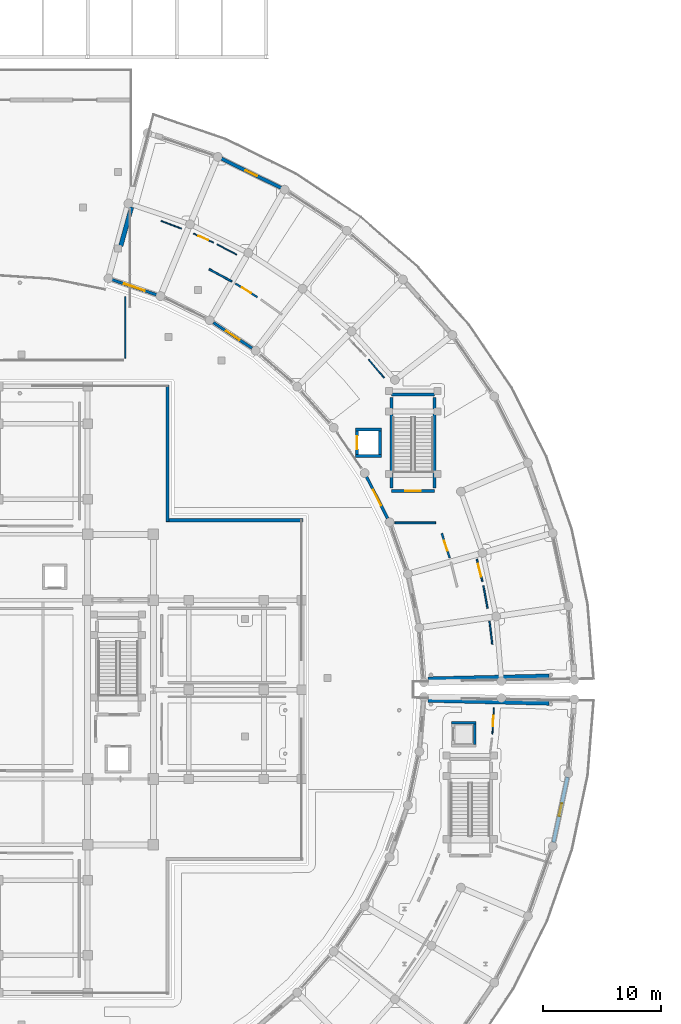
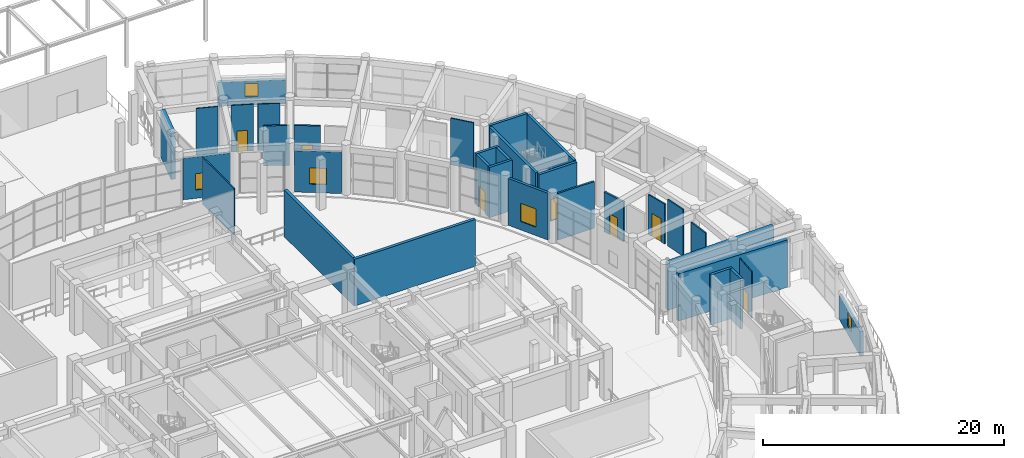
# One storey, part 73 of 99: 33 walls, 7 doors, 5 windows, 12 openings.
"""IFC4 building model written with IfcOpenShell, lengths in metres."""

from ifc_helpers import new_model, si_unit, direction, frame, frame_2d, origin, place, context, subcontext, project, spatial, rectangle, extrude, material, layer, layer_set, type_object, element, fill, save


model = new_model("IFC4")

# Units and contexts
model_context = context("Model", 3, precision=1e-05, world=origin(), true_north=direction((0.0, 1.0)))
body_context = subcontext(model_context, "Body", "Model", "MODEL_VIEW")
ifc_project = project(units=[si_unit("LENGTHUNIT", "METRE"), si_unit("AREAUNIT", "SQUARE_METRE"), si_unit("VOLUMEUNIT", "CUBIC_METRE"), si_unit("PLANEANGLEUNIT", "RADIAN"), si_unit("MASSUNIT", "GRAM", prefix="KILO")], contexts=[model_context])

# Site, building, storey
site_placement = place(None, origin())
site = spatial("IfcSite", under=ifc_project, at=site_placement, CompositionType="ELEMENT")
building_placement = place(site_placement, origin())
building = spatial("IfcBuilding", under=site, at=building_placement, Name="Saryqyr Civic Hall", CompositionType="ELEMENT")
storey_placement = place(building_placement, origin())
storey = spatial("IfcBuildingStorey", under=building, at=storey_placement, Name="L00", CompositionType="ELEMENT", Elevation=0.0)

# Wall, opening, window
ifc_material_1 = material(Name="Precast concrete C40/50", Category="concrete")
ifc_layer_1 = layer(ifc_material_1, 0.239990234375, Name="Precast concrete C40/50")
ifc_layer_set_1 = layer_set([ifc_layer_1], Name="Precast concrete C40/50")
wall_type_1 = type_object("IfcWallType", Name="ENV-WAL-EXT-240", PredefinedType="STANDARD", material=ifc_layer_set_1)
wall_1_placement = place(storey_placement, frame((90.124267578125, 98.55029296875, 0.0), z_axis=(0.0, 0.0, 1.0), x_axis=(-0.451869127893, 0.89208424, 0.0)))
wall_1 = element("IfcWall", 1, at=wall_1_placement, inside=storey, type_object=wall_type_1, Name="Exterior wall V6-EWI-L00-03", PredefinedType="STANDARD", context=body_context, shape_type="SweptSolid", body=[
    extrude(rectangle(XDim=3.980224609375, YDim=0.239990234375, at=frame_2d((1.990234375, 0.0))), origin(), (0.0, 0.0, 1.0), 4.75),
])
opening_1_placement = place(wall_1_placement, frame((1.239990234375, 0.0, 0.85009765625)))
opening_1 = element("IfcOpeningElement", 2, at=opening_1_placement, cuts=wall_1, Name="Opening W-26", PredefinedType="OPENING", context=body_context, shape_type="SweptSolid", body=[
    extrude(rectangle(XDim=1.5, YDim=1.85009765625, at=frame_2d((0.75, 0.925048828125))), frame((0.0, 0.1298828125, 0.0), z_axis=(0.0, -1.0, 0.0), x_axis=(1.0, 0.0, 0.0)), (0.0, 0.0, 1.0), 0.260009765625),
])
ifc_material_2 = material(Name="Anodised aluminium and triple low-E glass", Category="aluminium")
window_type_1 = type_object("IfcWindowType", Name="ENV-WIN-W26", PartitioningType="SINGLE_PANEL", PredefinedType="WINDOW", material=ifc_material_2)
window_1_placement = place(opening_1_placement, origin())
window_1 = element("IfcWindow", 3, at=window_1_placement, inside=storey, type_object=window_type_1, Name="Courtyard window V6-L00-03", OverallHeight=1.85009765625, OverallWidth=1.5, PartitioningType="SINGLE_PANEL", PredefinedType="WINDOW", context=body_context, shape_type="SweptSolid", body=[
    extrude(rectangle(XDim=1.5, YDim=1.85009765625, at=frame_2d((0.75, 0.925048828125))), frame((0.0, 0.030029296875, 0.0), z_axis=(0.0, -1.0, 0.0), x_axis=(1.0, 0.0, 0.0)), (0.0, 0.0, 1.0), 0.06005859375),
])
fill(opening_1, window_1)

wall_2_placement = place(storey_placement, frame((78.583984375, 113.033935546875, 0.0), z_axis=(0.0, 0.0, 1.0), x_axis=(-0.833775412136, 0.552103760282, 0.0)))
wall_2 = element("IfcWall", 4, at=wall_2_placement, inside=storey, type_object=wall_type_1, Name="Exterior wall V6-EWI-L00-07", PredefinedType="STANDARD", context=body_context, shape_type="SweptSolid", body=[
    extrude(rectangle(XDim=3.931640625, YDim=0.239990234375, at=frame_2d((1.9658203125, 0.0))), origin(), (0.0, 0.0, 1.0), 4.195068359375),
])
opening_2_placement = place(wall_2_placement, frame((1.26611328125, 0.0, 0.85009765625)))
opening_2 = element("IfcOpeningElement", 5, at=opening_2_placement, cuts=wall_2, Name="Opening W-18", PredefinedType="OPENING", context=body_context, shape_type="SweptSolid", body=[
    extrude(rectangle(XDim=1.39990234375, YDim=1.64990234375, at=frame_2d((0.699951171875, 0.824951171875))), frame((0.0, 0.1298828125, 0.0), z_axis=(0.0, -1.0, 0.0), x_axis=(1.0, 0.0, 0.0)), (0.0, 0.0, 1.0), 0.260009765625),
])
window_type_2 = type_object("IfcWindowType", Name="ENV-WIN-W18", PartitioningType="SINGLE_PANEL", PredefinedType="WINDOW", material=ifc_material_2)
window_2_placement = place(opening_2_placement, origin())
window_2 = element("IfcWindow", 6, at=window_2_placement, inside=storey, type_object=window_type_2, Name="Courtyard window V6-L00-07", OverallHeight=1.64990234375, OverallWidth=1.39990234375, PartitioningType="SINGLE_PANEL", PredefinedType="WINDOW", context=body_context, shape_type="SweptSolid", body=[
    extrude(rectangle(XDim=1.39990234375, YDim=1.64990234375, at=frame_2d((0.699951171875, 0.824951171875))), frame((0.0, 0.030029296875, 0.0), z_axis=(0.0, -1.0, 0.0), x_axis=(1.0, 0.0, 0.0)), (0.0, 0.0, 1.0), 0.06005859375),
])
fill(opening_2, window_2)

wall_3_placement = place(storey_placement, frame((70.48779296875, 117.572265625, 0.0), z_axis=(0.0, 0.0, 1.0), x_axis=(-0.947197529603, 0.320650650887, 0.0)))
wall_3 = element("IfcWall", 7, at=wall_3_placement, inside=storey, type_object=wall_type_1, Name="Exterior wall V6-EWI-L00-09", PredefinedType="STANDARD", context=body_context, shape_type="SweptSolid", body=[
    extrude(rectangle(XDim=4.02099609375, YDim=0.239990234375, at=frame_2d((2.010498046875, 0.0))), origin(), (0.0, 0.0, 1.0), 4.195068359375),
])
opening_3_placement = place(wall_3_placement, frame((1.0849609375, 0.0, 0.85009765625)))
opening_3 = element("IfcOpeningElement", 8, at=opening_3_placement, cuts=wall_3, Name="Opening W-20", PredefinedType="OPENING", context=body_context, shape_type="SweptSolid", body=[
    extrude(rectangle(XDim=1.85009765625, YDim=1.64990234375, at=frame_2d((0.925048828125, 0.824951171875))), frame((0.0, 0.1298828125, 0.0), z_axis=(0.0, -1.0, 0.0), x_axis=(1.0, 0.0, 0.0)), (0.0, 0.0, 1.0), 0.260009765625),
])
window_type_3 = type_object("IfcWindowType", Name="ENV-WIN-W20", PartitioningType="SINGLE_PANEL", PredefinedType="WINDOW", material=ifc_material_2)
window_3_placement = place(opening_3_placement, origin())
window_3 = element("IfcWindow", 9, at=window_3_placement, inside=storey, type_object=window_type_3, Name="Courtyard window V6-L00-09", OverallHeight=1.64990234375, OverallWidth=1.85009765625, PartitioningType="SINGLE_PANEL", PredefinedType="WINDOW", context=body_context, shape_type="SweptSolid", body=[
    extrude(rectangle(XDim=1.85009765625, YDim=1.64990234375, at=frame_2d((0.925048828125, 0.824951171875))), frame((0.0, 0.030029296875, 0.0), z_axis=(0.0, -1.0, 0.0), x_axis=(1.0, 0.0, 0.0)), (0.0, 0.0, 1.0), 0.06005859375),
])
fill(opening_3, window_3)

# Walls
ifc_layer_2 = layer(ifc_material_1, 0.27001953125, Name="Precast concrete C40/50")
ifc_layer_set_2 = layer_set([ifc_layer_2], Name="Precast concrete C40/50")
wall_type_2 = type_object("IfcWallType", Name="ENV-WAL-EXT-270", PredefinedType="STANDARD", material=ifc_layer_set_2)
for number, where, z_axis, x_axis, name in (
    (10, (71.39990234375, 109.919921875, 0.0), (0.0, 0.0, 1.0), (0.0, -1.0, 0.0), "Exterior wall V1-EW-L00-06"),
    (11, (71.280029296875, 98.39990234375, 0.0), (0.0, 0.0, 1.0), (1.0, 0.0, 0.0), "Exterior wall V1-EW-L00-07"),
):
    element("IfcWall", number, at=place(storey_placement, frame(where, z_axis=z_axis, x_axis=x_axis)), inside=storey, type_object=wall_type_2, Name=name, PredefinedType="STANDARD", context=body_context, shape_type="SweptSolid", body=[
        extrude(rectangle(XDim=11.639892578125, YDim=0.27001953125, at=frame_2d((5.81982421875, 0.0))), origin(), (0.0, 0.0, 1.0), 4.75),
    ])

# Wall, opening, window
ifc_layer_3 = layer(ifc_material_1, 0.2900390625, Name="Precast concrete C40/50")
ifc_layer_set_3 = layer_set([ifc_layer_3], Name="Precast concrete C40/50")
wall_type_3 = type_object("IfcWallType", Name="ENV-WAL-EXT-290", PredefinedType="STANDARD", material=ifc_layer_set_3)
wall_4_placement = place(storey_placement, frame((75.986328125, 129.149169921875, 0.0), z_axis=(0.0, 0.0, 1.0), x_axis=(0.897975415093, -0.440045627052, 0.0)))
wall_4 = element("IfcWall", 12, at=wall_4_placement, inside=storey, type_object=wall_type_3, Name="Exterior wall V6-EWO-L00-08", PredefinedType="STANDARD", context=body_context, shape_type="SweptSolid", body=[
    extrude(rectangle(XDim=5.637939453125, YDim=0.2900390625, at=frame_2d((2.81884765625, 0.0))), origin(), (0.0, 0.0, 1.0), 2.449951171875),
])
opening_4_placement = place(wall_4_placement, frame((2.26904296875, 0.0, 0.85009765625)))
opening_4 = element("IfcOpeningElement", 13, at=opening_4_placement, cuts=wall_4, Name="Opening W-01", PredefinedType="OPENING", context=body_context, shape_type="SweptSolid", body=[
    extrude(rectangle(XDim=1.10009765625, YDim=1.35009765625, at=frame_2d((0.550048828125, 0.675048828125))), frame((0.0, 0.155029296875, 0.0), z_axis=(0.0, -1.0, 0.0), x_axis=(1.0, 0.0, 0.0)), (0.0, 0.0, 1.0), 0.31005859375),
])
window_type_4 = type_object("IfcWindowType", Name="ENV-WIN-W01", PartitioningType="SINGLE_PANEL", PredefinedType="WINDOW", material=ifc_material_2)
window_4_placement = place(opening_4_placement, origin())
window_4 = element("IfcWindow", 14, at=window_4_placement, inside=storey, type_object=window_type_4, Name="Exterior ribbon window V6-L00-08", OverallHeight=1.35009765625, OverallWidth=1.10009765625, PartitioningType="SINGLE_PANEL", PredefinedType="WINDOW", context=body_context, shape_type="SweptSolid", body=[
    extrude(rectangle(XDim=1.10009765625, YDim=1.35009765625, at=frame_2d((0.550048828125, 0.675048828125))), frame((0.0, 0.030029296875, 0.0), z_axis=(0.0, -1.0, 0.0), x_axis=(1.0, 0.0, 0.0)), (0.0, 0.0, 1.0), 0.06005859375),
])
fill(opening_4, window_4)

ifc_layer_4 = layer(ifc_material_1, 0.31005859375, Name="Precast concrete C40/50")
ifc_layer_set_4 = layer_set([ifc_layer_4], Name="Precast concrete C40/50")
wall_type_4 = type_object("IfcWallType", Name="ENV-WAL-EXT-310", PredefinedType="STANDARD", material=ifc_layer_set_4)
wall_5_placement = place(storey_placement, frame((105.413818359375, 76.570068359375, 0.0), z_axis=(0.0, 0.0, 1.0), x_axis=(-0.208920042606, -0.977932725599, 0.0)))
wall_5 = element("IfcWall", 15, at=wall_5_placement, inside=storey, type_object=wall_type_4, Name="Exterior wall V5-EWO-L00-08", PredefinedType="STANDARD", context=body_context, shape_type="SweptSolid", body=[
    extrude(rectangle(XDim=5.694580078125, YDim=0.31005859375, at=frame_2d((2.84716796875, 0.0))), origin(), (0.0, 0.0, 1.0), 2.449951171875),
])
opening_5_placement = place(wall_5_placement, frame((2.297119140625, 0.0, 0.85009765625)))
opening_5 = element("IfcOpeningElement", 16, at=opening_5_placement, cuts=wall_5, Name="Opening W-01", PredefinedType="OPENING", context=body_context, shape_type="SweptSolid", body=[
    extrude(rectangle(XDim=1.10009765625, YDim=1.35009765625, at=frame_2d((0.550048828125, 0.675048828125))), frame((0.0, 0.1650390625, 0.0), z_axis=(0.0, -1.0, 0.0), x_axis=(1.0, 0.0, 0.0)), (0.0, 0.0, 1.0), 0.330078125),
])
window_5_placement = place(opening_5_placement, origin())
window_5 = element("IfcWindow", 17, at=window_5_placement, inside=storey, type_object=window_type_4, Name="Exterior ribbon window V5-L00-08", OverallHeight=1.35009765625, OverallWidth=1.10009765625, PartitioningType="SINGLE_PANEL", PredefinedType="WINDOW", context=body_context, shape_type="SweptSolid", body=[
    extrude(rectangle(XDim=1.10009765625, YDim=1.35009765625, at=frame_2d((0.550048828125, 0.675048828125))), frame((0.0, 0.030029296875, 0.0), z_axis=(0.0, -1.0, 0.0), x_axis=(1.0, 0.0, 0.0)), (0.0, 0.0, 1.0), 0.06005859375),
])
fill(opening_5, window_5)

# Walls
ifc_material_3 = material(Name="Concrete C40/50", Category="concrete")
ifc_layer_5 = layer(ifc_material_3, 0.3798828125, Name="Concrete C40/50")
ifc_layer_set_5 = layer_set([ifc_layer_5], Name="Concrete C40/50")
wall_type_5 = type_object("IfcWallType", Name="ENV-WAL-PTY-380", PredefinedType="SHEAR", material=ifc_layer_set_5)
for number, where, z_axis, x_axis, name in (
    (18, (93.5390625, 83.10693359375, 0.0), (0.0, 0.0, 1.0), (0.999701591947, -0.024427997417, 0.0), "Exterior wall V5-JNTW-B-L00"),
    (19, (103.85009765625, 85.14501953125, 0.0), (0.0, 0.0, 1.0), (-0.999701591947, -0.024427997417, 0.0), "Exterior wall V6-JNTW-A-L00"),
):
    element("IfcWall", number, at=place(storey_placement, frame(where, z_axis=z_axis, x_axis=x_axis)), inside=storey, type_object=wall_type_5, Name=name, PredefinedType="SHEAR", context=body_context, shape_type="SweptSolid", body=[
        extrude(rectangle(XDim=10.314208984375, YDim=0.3798828125, at=frame_2d((5.1572265625, 0.0))), origin(), (0.0, 0.0, 1.0), 4.800048828125),
    ])
wall_6_placement = place(storey_placement, frame((67.429443359375, 121.735107421875, 0.0), z_axis=(0.0, 0.0, 1.0), x_axis=(0.266413918486, 0.963858715807, 0.0)))
element("IfcWall", 20, at=wall_6_placement, inside=storey, type_object=wall_type_5, Name="Exterior wall V6-JNTW-B-L00", PredefinedType="SHEAR", context=body_context, shape_type="SweptSolid", body=[
    extrude(rectangle(XDim=3.419921875, YDim=0.3798828125, at=frame_2d((1.7099609375, 0.0))), origin(), (0.0, 0.0, 1.0), 4.800048828125),
])

# Wall, opening, door
ifc_material_4 = material(Name="Lightweight demountable partition", Category="gypsum")
ifc_layer_6 = layer(ifc_material_4, 0.094970703125, Name="Lightweight demountable partition")
ifc_layer_set_6 = layer_set([ifc_layer_6], Name="Lightweight demountable partition")
wall_type_6 = type_object("IfcWallType", Name="INT-WAL-PRT-095", PredefinedType="PARTITIONING", material=ifc_layer_set_6)
wall_7_placement = place(storey_placement, frame((99.02490234375, 80.223876953125, 0.0), z_axis=(0.0, 0.0, 1.0), x_axis=(0.058613248542, 0.998280765664, 0.0)))
wall_7 = element("IfcWall", 21, at=wall_7_placement, inside=storey, type_object=wall_type_6, Name="Interior partition PRT-SP-V5-L00-R03-W2", PredefinedType="PARTITIONING", context=body_context, shape_type="SweptSolid", body=[
    extrude(rectangle(XDim=2.23681640625, YDim=0.094970703125, at=frame_2d((1.118408203125, 0.0))), origin(), (0.0, 0.0, 1.0), 4.72998046875),
])
opening_6_placement = place(wall_7_placement, frame((0.66796875, 0.0, 0.0)))
opening_6 = element("IfcOpeningElement", 22, at=opening_6_placement, cuts=wall_7, Name="Opening D-01", PredefinedType="OPENING", context=body_context, shape_type="SweptSolid", body=[
    extrude(rectangle(XDim=0.89990234375, YDim=2.10009765625, at=frame_2d((0.449951171875, 1.050048828125))), frame((0.0, 0.057373046875, 0.0), z_axis=(0.0, -1.0, 0.0), x_axis=(1.0, 0.0, 0.0)), (0.0, 0.0, 1.0), 0.114990234375),
])
ifc_material_5 = material(Name="Acoustic solid-core oak veneer", Category="wood")
door_type_1 = type_object("IfcDoorType", Name="INT-DR-D-01", OperationType="NOTDEFINED", PredefinedType="DOOR", material=ifc_material_5)
door_1_placement = place(opening_6_placement, origin())
door_1 = element("IfcDoor", 23, at=door_1_placement, inside=storey, type_object=door_type_1, Name="Interior door Public Toilet Block & Accessible MGN WC L00-E", OperationType="SINGLE_SWING_RIGHT", OverallHeight=2.10009765625, OverallWidth=0.89990234375, PredefinedType="DOOR", context=body_context, shape_type="SweptSolid", body=[
    extrude(rectangle(XDim=0.89990234375, YDim=2.10009765625, at=frame_2d((0.449951171875, 1.050048828125))), frame((0.0, 0.02490234375, 0.0), z_axis=(0.0, -1.0, 0.0), x_axis=(1.0, 0.0, 0.0)), (0.0, 0.0, 1.0), 0.050048828125),
])
fill(opening_6, door_1)

wall_8_placement = place(storey_placement, frame((75.300537109375, 122.019775390625, 0.0), z_axis=(0.0, 0.0, 1.0), x_axis=(-0.912201421818, 0.40974207257, 0.0)))
wall_8 = element("IfcWall", 24, at=wall_8_placement, inside=storey, type_object=wall_type_6, Name="Interior partition PRT-SP-V6-L00-R03-W1", PredefinedType="PARTITIONING", context=body_context, shape_type="SweptSolid", body=[
    extrude(rectangle(XDim=1.859130859375, YDim=0.094970703125, at=frame_2d((0.9296875, 0.0))), origin(), (0.0, 0.0, 1.0), 4.72998046875),
])
opening_7_placement = place(wall_8_placement, frame((0.47998046875, 0.0, 0.0)))
opening_7 = element("IfcOpeningElement", 25, at=opening_7_placement, cuts=wall_8, Name="Opening D-01", PredefinedType="OPENING", context=body_context, shape_type="SweptSolid", body=[
    extrude(rectangle(XDim=0.89990234375, YDim=2.10009765625, at=frame_2d((0.449951171875, 1.050048828125))), frame((0.0, 0.057373046875, 0.0), z_axis=(0.0, -1.0, 0.0), x_axis=(1.0, 0.0, 0.0)), (0.0, 0.0, 1.0), 0.114990234375),
])
door_2_placement = place(opening_7_placement, origin())
door_2 = element("IfcDoor", 26, at=door_2_placement, inside=storey, type_object=door_type_1, Name="Interior door Public Toilet Block & Accessible MGN WC L00-N", OperationType="SINGLE_SWING_LEFT", OverallHeight=2.10009765625, OverallWidth=0.89990234375, PredefinedType="DOOR", context=body_context, shape_type="SweptSolid", body=[
    extrude(rectangle(XDim=0.89990234375, YDim=2.10009765625, at=frame_2d((0.449951171875, 1.050048828125))), frame((0.0, 0.02490234375, 0.0), z_axis=(0.0, -1.0, 0.0), x_axis=(1.0, 0.0, 0.0)), (0.0, 0.0, 1.0), 0.050048828125),
])
fill(opening_7, door_2)

# Walls
for number, where, z_axis, x_axis, name in (
    (27, (77.270263671875, 120.997802734375, 0.0), (0.0, 0.0, 1.0), (-0.88531952644, 0.464983156797, 0.0), "Interior partition PRT-SP-V6-L00-R03-W2"),
    (28, (72.58837890625, 123.201171875, 0.0), (0.0, 0.0, 1.0), (-0.935631179075, 0.352979173243, 0.0), "Interior partition PRT-SP-V6-L00-R03-W3"),
):
    element("IfcWall", number, at=place(storey_placement, frame(where, z_axis=z_axis, x_axis=x_axis)), inside=storey, type_object=wall_type_6, Name=name, PredefinedType="PARTITIONING", context=body_context, shape_type="SweptSolid", body=[
        extrude(rectangle(XDim=1.859130859375, YDim=0.094970703125, at=frame_2d((0.9296875, 0.0))), origin(), (0.0, 0.0, 1.0), 4.72998046875),
    ])
ifc_material_6 = material(Name="Moisture-resistant gypsum partition", Category="gypsum")
ifc_layer_7 = layer(ifc_material_6, 0.110107421875, Name="Moisture-resistant gypsum partition")
ifc_layer_set_7 = layer_set([ifc_layer_7], Name="Moisture-resistant gypsum partition")
wall_type_7 = type_object("IfcWallType", Name="INT-WAL-PRT-110", PredefinedType="PARTITIONING", material=ifc_layer_set_7)
wall_9_placement = place(storey_placement, frame((89.81640625, 110.508544921875, 0.0), z_axis=(0.0, 0.0, 1.0), x_axis=(-0.643701685494, 0.765276512179, 0.0)))
element("IfcWall", 29, at=wall_9_placement, inside=storey, type_object=wall_type_7, Name="Interior partition PRT-SP-V6-L00-R02-W2", PredefinedType="PARTITIONING", context=body_context, shape_type="SweptSolid", body=[
    extrude(rectangle(XDim=2.044189453125, YDim=0.110107421875, at=frame_2d((1.02197265625, 0.0))), origin(), (0.0, 0.0, 1.0), 4.72998046875),
])
wall_10_placement = place(storey_placement, frame((67.800048828125, 117.415283203125, 0.0), z_axis=(0.0, 0.0, 1.0), x_axis=(0.0, -1.0, 0.0)))
element("IfcWall", 30, at=wall_10_placement, inside=storey, type_object=wall_type_7, Name="Interior partition PRT-SP-V2-L00-NVEST-W2", PredefinedType="PARTITIONING", context=body_context, shape_type="SweptSolid", body=[
    extrude(rectangle(XDim=5.2353515625, YDim=0.110107421875, at=frame_2d((2.61767578125, 0.0))), origin(), (0.0, 0.0, 1.0), 4.72998046875),
])

# Wall, opening, door
ifc_material_7 = material(Name="Metal-stud gypsum board partition", Category="gypsum")
ifc_layer_8 = layer(ifc_material_7, 0.125, Name="Metal-stud gypsum board partition")
ifc_layer_set_8 = layer_set([ifc_layer_8], Name="Metal-stud gypsum board partition")
wall_type_8 = type_object("IfcWallType", Name="INT-WAL-PRT-125", PredefinedType="PARTITIONING", material=ifc_layer_set_8)
wall_11_placement = place(storey_placement, frame((98.181396484375, 93.19140625, 0.0), z_axis=(0.0, 0.0, 1.0), x_axis=(-0.244871130076, 0.969555635152, 0.0)))
wall_11 = element("IfcWall", 31, at=wall_11_placement, inside=storey, type_object=wall_type_8, Name="Interior partition PRT-SP-V6-L00-R01-W1", PredefinedType="PARTITIONING", context=body_context, shape_type="SweptSolid", body=[
    extrude(rectangle(XDim=1.967041015625, YDim=0.125, at=frame_2d((0.9833984375, 0.0))), origin(), (0.0, 0.0, 1.0), 4.044921875),
])
opening_8_placement = place(wall_11_placement, frame((0.43408203125, 0.0, 0.0)))
opening_8 = element("IfcOpeningElement", 32, at=opening_8_placement, cuts=wall_11, Name="Opening D-17", PredefinedType="OPENING", context=body_context, shape_type="SweptSolid", body=[
    extrude(rectangle(XDim=1.10009765625, YDim=2.35009765625, at=frame_2d((0.550048828125, 1.175048828125))), frame((0.0, 0.072509765625, 0.0), z_axis=(0.0, -1.0, 0.0), x_axis=(1.0, 0.0, 0.0)), (0.0, 0.0, 1.0), 0.14501953125),
])
door_type_2 = type_object("IfcDoorType", Name="INT-DR-D-17", OperationType="NOTDEFINED", PredefinedType="DOOR", material=ifc_material_5)
door_3_placement = place(opening_8_placement, origin())
door_3 = element("IfcDoor", 33, at=door_3_placement, inside=storey, type_object=door_type_2, Name="Interior door North Civic Square Citizens' Reception Hall", OperationType="SINGLE_SWING_LEFT", OverallHeight=2.35009765625, OverallWidth=1.10009765625, PredefinedType="DOOR", context=body_context, shape_type="SweptSolid", body=[
    extrude(rectangle(XDim=1.10009765625, YDim=2.35009765625, at=frame_2d((0.550048828125, 1.175048828125))), frame((0.0, 0.02490234375, 0.0), z_axis=(0.0, -1.0, 0.0), x_axis=(1.0, 0.0, 0.0)), (0.0, 0.0, 1.0), 0.050048828125),
])
fill(opening_8, door_3)

# Walls
wall_12_placement = place(storey_placement, frame((98.616943359375, 90.90576171875, 0.0), z_axis=(0.0, 0.0, 1.0), x_axis=(-0.182324809922, 0.98323835548, 0.0)))
element("IfcWall", 34, at=wall_12_placement, inside=storey, type_object=wall_type_8, Name="Interior partition PRT-SP-V6-L00-R01-W2", PredefinedType="PARTITIONING", context=body_context, shape_type="SweptSolid", body=[
    extrude(rectangle(XDim=1.967041015625, YDim=0.125, at=frame_2d((0.9833984375, 0.0))), origin(), (0.0, 0.0, 1.0), 4.72998046875),
])
wall_13_placement = place(storey_placement, frame((99.01708984375, 87.86572265625, 0.0), z_axis=(0.0, 0.0, 1.0), x_axis=(-0.119145220618, 0.992876838487, 0.0)))
element("IfcWall", 35, at=wall_13_placement, inside=storey, type_object=wall_type_8, Name="Interior partition PRT-SP-V6-L00-R01-W3", PredefinedType="PARTITIONING", context=body_context, shape_type="SweptSolid", body=[
    extrude(rectangle(XDim=1.967041015625, YDim=0.125, at=frame_2d((0.9833984375, 0.0))), origin(), (0.0, 0.0, 1.0), 4.044921875),
])

# Wall, opening, door
ifc_material_8 = material(Name="Acoustic double-stud gypsum board", Category="gypsum")
ifc_layer_9 = layer(ifc_material_8, 0.155029296875, Name="Acoustic double-stud gypsum board")
ifc_layer_set_9 = layer_set([ifc_layer_9], Name="Acoustic double-stud gypsum board")
wall_type_9 = type_object("IfcWallType", Name="INT-WAL-PRT-155", PredefinedType="PARTITIONING", material=ifc_layer_set_9)
wall_14_placement = place(storey_placement, frame((77.18310546875, 118.5283203125, 0.0), z_axis=(0.0, 0.0, 1.0), x_axis=(0.849164067555, -0.52812913797, 0.0)))
wall_14 = element("IfcWall", 36, at=wall_14_placement, inside=storey, type_object=wall_type_9, Name="Interior partition PRT-SP-V6-L00-R05-W1", PredefinedType="PARTITIONING", context=body_context, shape_type="SweptSolid", body=[
    extrude(rectangle(XDim=2.1962890625, YDim=0.155029296875, at=frame_2d((1.09814453125, 0.0))), origin(), (0.0, 0.0, 1.0), 4.044921875),
])
opening_9_placement = place(wall_14_placement, frame((0.64794921875, 0.0, 0.0)))
opening_9 = element("IfcOpeningElement", 37, at=opening_9_placement, cuts=wall_14, Name="Opening D-01", PredefinedType="OPENING", context=body_context, shape_type="SweptSolid", body=[
    extrude(rectangle(XDim=0.89990234375, YDim=2.10009765625, at=frame_2d((0.449951171875, 1.050048828125))), frame((0.0, 0.08740234375, 0.0), z_axis=(0.0, -1.0, 0.0), x_axis=(1.0, 0.0, 0.0)), (0.0, 0.0, 1.0), 0.175048828125),
])
door_4_placement = place(opening_9_placement, origin())
door_4 = element("IfcDoor", 38, at=door_4_placement, inside=storey, type_object=door_type_1, Name="Interior door Petition & Ombudsman Hearing Rooms", OperationType="SINGLE_SWING_LEFT", OverallHeight=2.10009765625, OverallWidth=0.89990234375, PredefinedType="DOOR", context=body_context, shape_type="SweptSolid", body=[
    extrude(rectangle(XDim=0.89990234375, YDim=2.10009765625, at=frame_2d((0.449951171875, 1.050048828125))), frame((0.0, 0.02490234375, 0.0), z_axis=(0.0, -1.0, 0.0), x_axis=(1.0, 0.0, 0.0)), (0.0, 0.0, 1.0), 0.050048828125),
])
fill(opening_9, door_4)

# Wall
wall_15_placement = place(storey_placement, frame((74.936279296875, 119.747314453125, 0.0), z_axis=(0.0, 0.0, 1.0), x_axis=(0.881091360695, -0.472946100638, 0.0)))
element("IfcWall", 39, at=wall_15_placement, inside=storey, type_object=wall_type_9, Name="Interior partition PRT-SP-V6-L00-R05-W3", PredefinedType="PARTITIONING", context=body_context, shape_type="SweptSolid", body=[
    extrude(rectangle(XDim=2.196533203125, YDim=0.155029296875, at=frame_2d((1.09814453125, 0.0))), origin(), (0.0, 0.0, 1.0), 4.044921875),
])

# Wall, opening, door
ifc_layer_10 = layer(ifc_material_8, 0.169921875, Name="Acoustic double-stud gypsum board")
ifc_layer_set_10 = layer_set([ifc_layer_10], Name="Acoustic double-stud gypsum board")
wall_type_10 = type_object("IfcWallType", Name="INT-WAL-PRT-170", PredefinedType="PARTITIONING", material=ifc_layer_set_10)
wall_16_placement = place(storey_placement, frame((94.72265625, 97.287841796875, 0.0), z_axis=(0.0, 0.0, 1.0), x_axis=(0.306340182121, -0.951922104386, 0.0)))
wall_16 = element("IfcWall", 40, at=wall_16_placement, inside=storey, type_object=wall_type_10, Name="Interior partition PRT-SP-V6-L00-R04-W1", PredefinedType="PARTITIONING", context=body_context, shape_type="SweptSolid", body=[
    extrude(rectangle(XDim=2.196533203125, YDim=0.169921875, at=frame_2d((1.09814453125, 0.0))), origin(), (0.0, 0.0, 1.0), 4.044921875),
])
opening_10_placement = place(wall_16_placement, frame((0.64794921875, 0.0, 0.0)))
opening_10 = element("IfcOpeningElement", 41, at=opening_10_placement, cuts=wall_16, Name="Opening D-01", PredefinedType="OPENING", context=body_context, shape_type="SweptSolid", body=[
    extrude(rectangle(XDim=0.89990234375, YDim=2.10009765625, at=frame_2d((0.449951171875, 1.050048828125))), frame((0.0, 0.094970703125, 0.0), z_axis=(0.0, -1.0, 0.0), x_axis=(1.0, 0.0, 0.0)), (0.0, 0.0, 1.0), 0.18994140625),
])
door_5_placement = place(opening_10_placement, origin())
door_5 = element("IfcDoor", 42, at=door_5_placement, inside=storey, type_object=door_type_1, Name="Interior door Civic History Permanent Exhibition North", OperationType="SINGLE_SWING_RIGHT", OverallHeight=2.10009765625, OverallWidth=0.89990234375, PredefinedType="DOOR", context=body_context, shape_type="SweptSolid", body=[
    extrude(rectangle(XDim=0.89990234375, YDim=2.10009765625, at=frame_2d((0.449951171875, 1.050048828125))), frame((0.0, 0.02490234375, 0.0), z_axis=(0.0, -1.0, 0.0), x_axis=(1.0, 0.0, 0.0)), (0.0, 0.0, 1.0), 0.050048828125),
])
fill(opening_10, door_5)

# Walls
wall_17_placement = place(storey_placement, frame((90.732421875, 98.189208984375, 0.0), z_axis=(0.0, 0.0, 1.0), x_axis=(0.999996794499, -0.002531993572, 0.0)))
element("IfcWall", 43, at=wall_17_placement, inside=storey, type_object=wall_type_10, Name="Interior partition PRT-SP-V6-L00-R04-W2", PredefinedType="PARTITIONING", context=body_context, shape_type="SweptSolid", body=[
    extrude(rectangle(XDim=3.47119140625, YDim=0.169921875, at=frame_2d((1.735595703125, 0.0))), origin(), (0.0, 0.0, 1.0), 4.72998046875),
])
ifc_layer_11 = layer(ifc_material_3, 0.239990234375, Name="Concrete C40/50")
ifc_layer_set_11 = layer_set([ifc_layer_11], Name="Concrete C40/50")
wall_type_11 = type_object("IfcWallType", Name="INT-WAL-SHR-240", PredefinedType="SHEAR", material=ifc_layer_set_11)
wall_18_placement = place(storey_placement, frame((97.530029296875, 81.06005859375, 0.0), z_axis=(0.0, 0.0, 1.0), x_axis=(0.0, -1.0, 0.0)))
element("IfcWall", 44, at=wall_18_placement, inside=storey, type_object=wall_type_11, Name="Lift shaft shear wall LF-07-SHW-E-L00", PredefinedType="SHEAR", context=body_context, shape_type="SweptSolid", body=[
    extrude(rectangle(XDim=1.719970703125, YDim=0.239990234375, at=frame_2d((0.85986328125, 0.0))), origin(), (0.0, 0.0, 1.0), 5.10009765625),
])
wall_19_placement = place(storey_placement, frame((95.550048828125, 81.179931640625, 0.0), z_axis=(0.0, 0.0, 1.0), x_axis=(1.0, 0.0, 0.0)))
element("IfcWall", 45, at=wall_19_placement, inside=storey, type_object=wall_type_11, Name="Lift shaft shear wall LF-07-SHW-N-L00", PredefinedType="SHEAR", context=body_context, shape_type="SweptSolid", body=[
    extrude(rectangle(XDim=2.099853515625, YDim=0.239990234375, at=frame_2d((1.0498046875, 0.0))), origin(), (0.0, 0.0, 1.0), 5.10009765625),
])
wall_20_placement = place(storey_placement, frame((89.60009765625, 103.8701171875, 0.0), z_axis=(0.0, 0.0, 1.0), x_axis=(-1.0, 0.0, 0.0)))
element("IfcWall", 46, at=wall_20_placement, inside=storey, type_object=wall_type_11, Name="Lift shaft shear wall LF-08-SHW-S-L00", PredefinedType="SHEAR", context=body_context, shape_type="SweptSolid", body=[
    extrude(rectangle(XDim=2.2001953125, YDim=0.239990234375, at=frame_2d((1.10009765625, 0.0))), origin(), (0.0, 0.0, 1.0), 5.10009765625),
])
wall_21_placement = place(storey_placement, frame((89.47998046875, 106.010009765625, 0.0), z_axis=(0.0, 0.0, 1.0), x_axis=(0.0, -1.0, 0.0)))
element("IfcWall", 47, at=wall_21_placement, inside=storey, type_object=wall_type_11, Name="Lift shaft shear wall LF-08-SHW-E-L00", PredefinedType="SHEAR", context=body_context, shape_type="SweptSolid", body=[
    extrude(rectangle(XDim=2.02001953125, YDim=0.239990234375, at=frame_2d((1.010009765625, 0.0))), origin(), (0.0, 0.0, 1.0), 5.10009765625),
])
wall_22_placement = place(storey_placement, frame((87.39990234375, 106.1298828125, 0.0), z_axis=(0.0, 0.0, 1.0), x_axis=(1.0, 0.0, 0.0)))
element("IfcWall", 48, at=wall_22_placement, inside=storey, type_object=wall_type_11, Name="Lift shaft shear wall LF-08-SHW-N-L00", PredefinedType="SHEAR", context=body_context, shape_type="SweptSolid", body=[
    extrude(rectangle(XDim=2.2001953125, YDim=0.239990234375, at=frame_2d((1.10009765625, 0.0))), origin(), (0.0, 0.0, 1.0), 5.10009765625),
])

# Wall, opening, door
wall_23_placement = place(storey_placement, frame((87.52001953125, 103.989990234375, 0.0), z_axis=(0.0, 0.0, 1.0), x_axis=(0.0, 1.0, 0.0)))
wall_23 = element("IfcWall", 49, at=wall_23_placement, inside=storey, type_object=wall_type_11, Name="Lift shaft shear wall LF-08-SHW-W-L00", PredefinedType="SHEAR", context=body_context, shape_type="SweptSolid", body=[
    extrude(rectangle(XDim=2.02001953125, YDim=0.239990234375, at=frame_2d((1.010009765625, 0.0))), origin(), (0.0, 0.0, 1.0), 5.10009765625),
])
opening_11_placement = place(wall_23_placement, frame((0.4599609375, 0.0, 0.0)))
opening_11 = element("IfcOpeningElement", 50, at=opening_11_placement, cuts=wall_23, Name="Opening LD-01", PredefinedType="OPENING", context=body_context, shape_type="SweptSolid", body=[
    extrude(rectangle(XDim=1.10009765625, YDim=2.14990234375, at=frame_2d((0.550048828125, 1.074951171875))), frame((0.0, 0.1298828125, 0.0), z_axis=(0.0, -1.0, 0.0), x_axis=(1.0, 0.0, 0.0)), (0.0, 0.0, 1.0), 0.260009765625),
])
ifc_material_9 = material(Name="Brushed stainless steel", Category="steel")
door_type_3 = type_object("IfcDoorType", Name="INT-DR-LD-1100x2150", OperationType="NOTDEFINED", PredefinedType="DOOR", material=ifc_material_9)
door_6_placement = place(opening_11_placement, origin())
door_6 = element("IfcDoor", 51, at=door_6_placement, inside=storey, type_object=door_type_3, Name="Lift sliding landing door LF-08 L00", OperationType="SLIDING_TO_RIGHT", OverallHeight=2.14990234375, OverallWidth=1.10009765625, PredefinedType="DOOR", context=body_context, shape_type="SweptSolid", body=[
    extrude(rectangle(XDim=1.10009765625, YDim=2.14990234375, at=frame_2d((0.550048828125, 1.074951171875))), frame((0.0, 0.02490234375, 0.0), z_axis=(0.0, -1.0, 0.0), x_axis=(1.0, 0.0, 0.0)), (0.0, 0.0, 1.0), 0.050048828125),
])
fill(opening_11, door_6)

ifc_layer_12 = layer(ifc_material_3, 0.25, Name="Concrete C40/50")
ifc_layer_set_12 = layer_set([ifc_layer_12], Name="Concrete C40/50")
wall_type_12 = type_object("IfcWallType", Name="INT-WAL-SHR-250", PredefinedType="SHEAR", material=ifc_layer_set_12)
wall_24_placement = place(storey_placement, frame((94.10009765625, 100.89990234375, 0.0), z_axis=(0.0, 0.0, 1.0), x_axis=(-1.0, 0.0, 0.0)))
wall_24 = element("IfcWall", 52, at=wall_24_placement, inside=storey, type_object=wall_type_12, Name="Protected stair shaft wall ST-6-SW1-L00", PredefinedType="SHEAR", context=body_context, shape_type="SweptSolid", body=[
    extrude(rectangle(XDim=3.64013671875, YDim=0.25, at=frame_2d((1.820068359375, 0.0))), origin(), (0.0, 0.0, 1.0), 5.10009765625),
])
opening_12_placement = place(wall_24_placement, frame((1.14501953125, 0.0, 0.0)))
opening_12 = element("IfcOpeningElement", 53, at=opening_12_placement, cuts=wall_24, Name="Opening SD-01", PredefinedType="OPENING", context=body_context, shape_type="SweptSolid", body=[
    extrude(rectangle(XDim=1.35009765625, YDim=2.199951171875, at=frame_2d((0.675048828125, 1.10009765625))), frame((0.0, 0.135009765625, 0.0), z_axis=(0.0, -1.0, 0.0), x_axis=(1.0, 0.0, 0.0)), (0.0, 0.0, 1.0), 0.27001953125),
])
ifc_material_10 = material(Name="Painted galvanized steel", Category="steel")
door_type_4 = type_object("IfcDoorType", Name="INT-DR-STAIR-1350x2200", OperationType="NOTDEFINED", PredefinedType="DOOR", material=ifc_material_10)
door_7_placement = place(opening_12_placement, origin())
door_7 = element("IfcDoor", 54, at=door_7_placement, inside=storey, type_object=door_type_4, Name="Exit stair landing fire door ST-6-L00", OperationType="SINGLE_SWING_RIGHT", OverallHeight=2.199951171875, OverallWidth=1.35009765625, PredefinedType="DOOR", context=body_context, shape_type="SweptSolid", body=[
    extrude(rectangle(XDim=1.35009765625, YDim=2.199951171875, at=frame_2d((0.675048828125, 1.10009765625))), frame((0.0, 0.02490234375, 0.0), z_axis=(0.0, -1.0, 0.0), x_axis=(1.0, 0.0, 0.0)), (0.0, 0.0, 1.0), 0.050048828125),
])
fill(opening_12, door_7)

# Walls
wall_25_placement = place(storey_placement, frame((90.4599609375, 101.14990234375, 0.0), z_axis=(0.0, 0.0, 1.0), x_axis=(0.0, 1.0, 0.0)))
element("IfcWall", 55, at=wall_25_placement, inside=storey, type_object=wall_type_12, Name="Protected stair shaft wall ST-6-SW2-L00", PredefinedType="SHEAR", context=body_context, shape_type="SweptSolid", body=[
    extrude(rectangle(XDim=7.7001953125, YDim=0.25, at=frame_2d((3.85009765625, 0.0))), origin(), (0.0, 0.0, 1.0), 5.10009765625),
])
wall_26_placement = place(storey_placement, frame((90.4599609375, 109.10009765625, 0.0), z_axis=(0.0, 0.0, 1.0), x_axis=(1.0, 0.0, 0.0)))
element("IfcWall", 56, at=wall_26_placement, inside=storey, type_object=wall_type_12, Name="Protected stair shaft wall ST-6-SW3-L00", PredefinedType="SHEAR", context=body_context, shape_type="SweptSolid", body=[
    extrude(rectangle(XDim=3.64013671875, YDim=0.25, at=frame_2d((1.820068359375, 0.0))), origin(), (0.0, 0.0, 1.0), 5.10009765625),
])
wall_27_placement = place(storey_placement, frame((94.10009765625, 108.85009765625, 0.0), z_axis=(0.0, 0.0, 1.0), x_axis=(0.0, -1.0, 0.0)))
element("IfcWall", 57, at=wall_27_placement, inside=storey, type_object=wall_type_12, Name="Protected stair shaft wall ST-6-SW4-L00", PredefinedType="SHEAR", context=body_context, shape_type="SweptSolid", body=[
    extrude(rectangle(XDim=7.7001953125, YDim=0.25, at=frame_2d((3.85009765625, 0.0))), origin(), (0.0, 0.0, 1.0), 5.10009765625),
])

save(model, "model.ifc")
